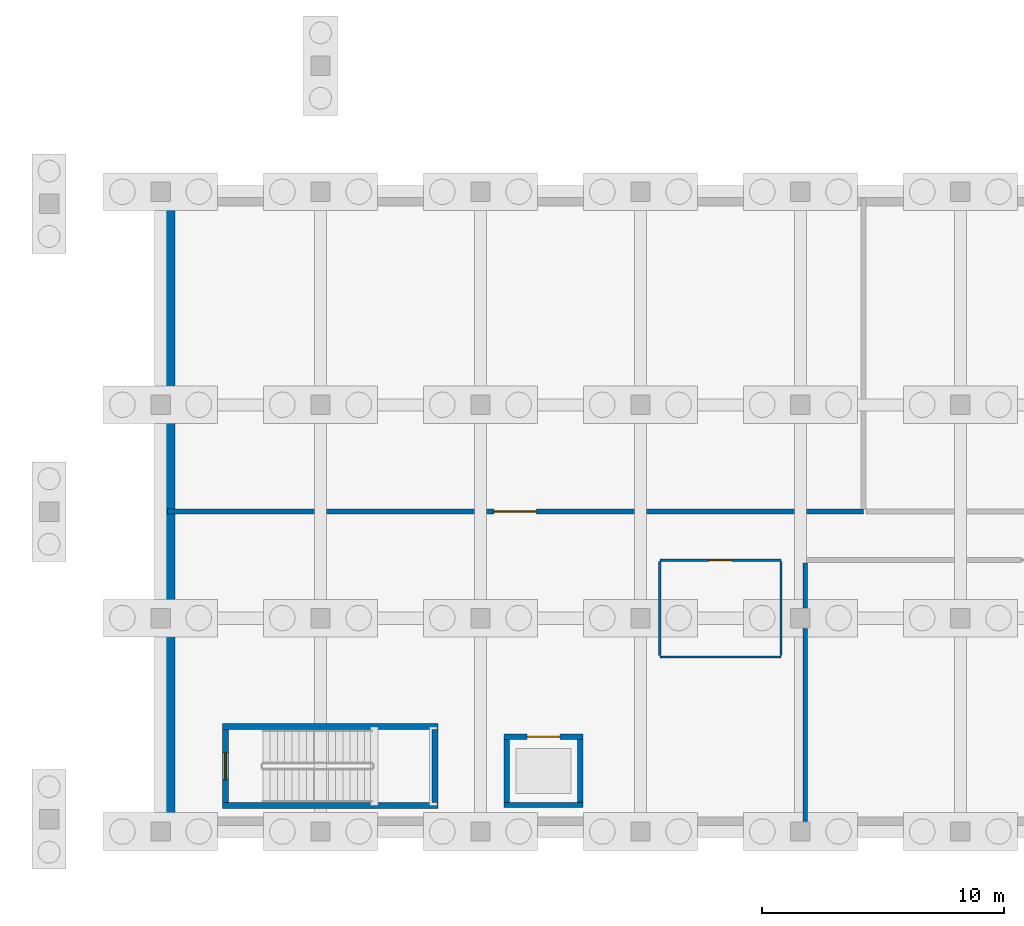
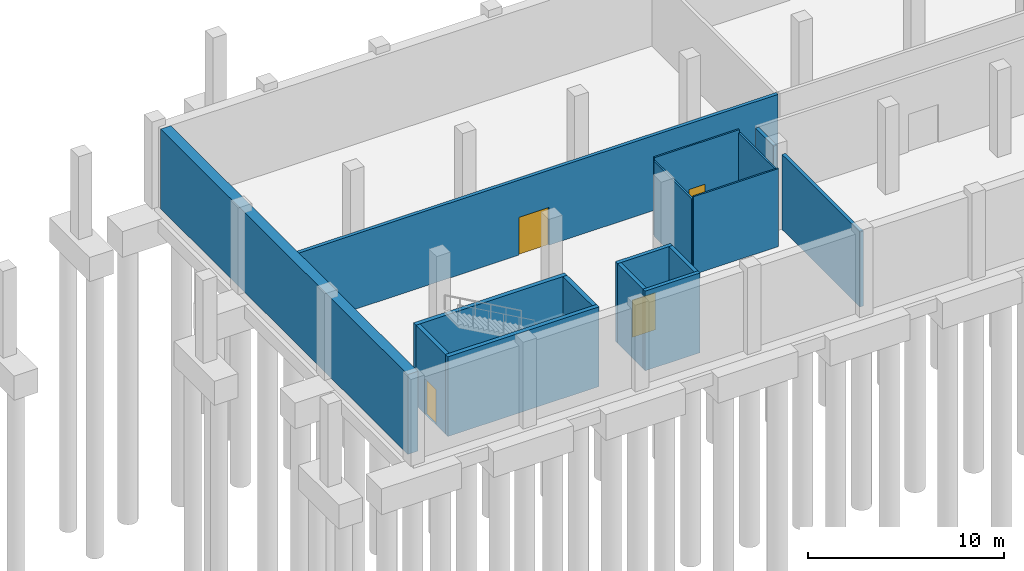
# One storey, part 9 of 23: 16 walls, 4 doors, 4 openings.
"""IFC4 building model written with IfcOpenShell, lengths in metres."""

from ifc_helpers import new_model, si_unit, direction, frame, frame_2d, origin, place, context, subcontext, project, spatial, rectangle, extrude, material, layer, layer_set, type_object, element, fill, save


model = new_model("IFC4")

# Units and contexts
model_context = context("Model", 3, precision=1e-05, world=origin(), true_north=direction((0.0, 1.0)))
body_context = subcontext(model_context, "Body", "Model", "MODEL_VIEW")
ifc_project = project(units=[si_unit("LENGTHUNIT", "METRE"), si_unit("AREAUNIT", "SQUARE_METRE"), si_unit("VOLUMEUNIT", "CUBIC_METRE"), si_unit("PLANEANGLEUNIT", "RADIAN"), si_unit("MASSUNIT", "GRAM", prefix="KILO")], contexts=[model_context])

# Site, building, storey
site_placement = place(None, origin())
site = spatial("IfcSite", under=ifc_project, at=site_placement, CompositionType="ELEMENT")
building_placement = place(site_placement, origin())
building = spatial("IfcBuilding", under=site, at=building_placement, Name="Dornvale Research Institute", CompositionType="ELEMENT")
storey_placement = place(building_placement, frame((0.0, 0.0, -5.39990234375)))
storey = spatial("IfcBuildingStorey", under=building, at=storey_placement, Name="B1", CompositionType="ELEMENT", Elevation=-5.39990234375)

# Wall, opening, door
ifc_material_1 = material(Name="Fire-Rated Gypsum Board on Cold-Formed Steel Studs", Category="steel")
ifc_layer_1 = layer(ifc_material_1, 0.199951171875)
ifc_layer_set_1 = layer_set([ifc_layer_1], Name="Fire-Rated Gypsum Board on Cold-Formed Steel Studs")
wall_type_1 = type_object("IfcWallType", Name="Partition_FireWall_200", PredefinedType="PARTITIONING", material=ifc_layer_set_1)
wall_1_placement = place(storey_placement, frame((99.280029296875, 13.199951171875, 0.0), z_axis=(0.0, 0.0, 1.0), x_axis=(1.0, 0.0, 0.0)))
wall_1 = element("IfcWall", 1, at=wall_1_placement, inside=storey, type_object=wall_type_1, Name="B1 V3 interior partition #50", PredefinedType="PARTITIONING", context=body_context, shape_type="SweptSolid", body=[
    extrude(rectangle(XDim=28.719970703125, YDim=0.199951171875, at=frame_2d((14.35986328125, 0.0))), origin(), (0.0, 0.0, 1.0), 4.664794921875),
])
opening_1_placement = place(wall_1_placement, frame((13.47998046875, 0.0, 0.0)))
opening_1 = element("IfcOpeningElement", 2, at=opening_1_placement, cuts=wall_1, Name="Opening ID-14", PredefinedType="OPENING", context=body_context, shape_type="SweptSolid", body=[
    extrude(rectangle(XDim=1.760009765625, YDim=2.35009765625, at=frame_2d((0.8798828125, 1.175048828125))), frame((0.0, 0.114990234375, 0.0), z_axis=(0.0, -1.0, 0.0), x_axis=(1.0, 0.0, 0.0)), (0.0, 0.0, 1.0), 0.22998046875),
])
ifc_material_2 = material(Name="Insulated Fire-Rated Hollow Metal Door Assembly")
door_type_1 = type_object("IfcDoorType", Name="Door_Plant_1760x2350", OperationType="SINGLE_SWING_LEFT", PredefinedType="DOOR", material=ifc_material_2)
door_1_placement = place(opening_1_placement, origin())
door_1 = element("IfcDoor", 3, at=door_1_placement, inside=storey, type_object=door_type_1, Name="B1 Cleanroom Sub-Fab Process Vacuum and Abatement Hall door #22", OperationType="DOUBLE_DOOR_SINGLE_SWING", OverallHeight=2.35009765625, OverallWidth=1.760009765625, PredefinedType="DOOR", context=body_context, shape_type="SweptSolid", body=[
    extrude(rectangle(XDim=1.760009765625, YDim=2.35009765625, at=frame_2d((0.8798828125, 1.175048828125))), frame((0.0, 0.02490234375, 0.0), z_axis=(0.0, -1.0, 0.0), x_axis=(1.0, 0.0, 0.0)), (0.0, 0.0, 1.0), 0.050048828125),
])
fill(opening_1, door_1)

# Walls
wall_2_placement = place(storey_placement, frame((125.60009765625, 0.419921875, 0.0), z_axis=(0.0, 0.0, 1.0), x_axis=(0.0, 1.0, 0.0)))
element("IfcWall", 4, at=wall_2_placement, inside=storey, type_object=wall_type_1, Name="B1 V3 interior partition #56", PredefinedType="PARTITIONING", context=body_context, shape_type="SweptSolid", body=[
    extrude(rectangle(XDim=7.9599609375, YDim=0.199951171875, at=frame_2d((3.97998046875, 0.0))), origin(), (0.0, 0.0, 1.0), 4.664794921875),
])
wall_3_placement = place(storey_placement, frame((125.60009765625, 9.219970703125, 0.0), z_axis=(0.0, 0.0, 1.0), x_axis=(0.0, 1.0, 0.0)))
element("IfcWall", 5, at=wall_3_placement, inside=storey, type_object=wall_type_1, Name="B1 V3 interior partition #57", PredefinedType="PARTITIONING", context=body_context, shape_type="SweptSolid", body=[
    extrude(rectangle(XDim=1.864990234375, YDim=0.199951171875, at=frame_2d((0.9326171875, 0.0))), origin(), (0.0, 0.0, 1.0), 4.664794921875),
])
ifc_material_3 = material(Name="Acoustic Insulated Double-Stud Laboratory Partition")
ifc_layer_2 = layer(ifc_material_3, 0.10009765625)
ifc_layer_set_2 = layer_set([ifc_layer_2], Name="Acoustic Insulated Double-Stud Laboratory Partition")
wall_type_2 = type_object("IfcWallType", Name="Partition_Office_100", PredefinedType="PARTITIONING", material=ifc_layer_set_2)
wall_4_placement = place(storey_placement, frame((119.60009765625, 7.199951171875, 0.0), z_axis=(0.0, 0.0, 1.0), x_axis=(1.0, 0.0, 0.0)))
element("IfcWall", 6, at=wall_4_placement, inside=storey, type_object=wall_type_2, Name="B1 V3 interior partition #46", PredefinedType="PARTITIONING", context=body_context, shape_type="SweptSolid", body=[
    extrude(rectangle(XDim=5.0, YDim=0.10009765625, at=frame_2d((2.5, 0.0))), origin(), (0.0, 0.0, 1.0), 4.844970703125),
])

# Wall, opening, door
wall_5_placement = place(storey_placement, frame((119.60009765625, 11.199951171875, 0.0), z_axis=(0.0, 0.0, 1.0), x_axis=(1.0, 0.0, 0.0)))
wall_5 = element("IfcWall", 7, at=wall_5_placement, inside=storey, type_object=wall_type_2, Name="B1 V3 interior partition #47", PredefinedType="PARTITIONING", context=body_context, shape_type="SweptSolid", body=[
    extrude(rectangle(XDim=5.0, YDim=0.10009765625, at=frame_2d((2.5, 0.0))), origin(), (0.0, 0.0, 1.0), 4.844970703125),
])
opening_2_placement = place(wall_5_placement, frame((2.02490234375, 0.0, 0.0)))
opening_2 = element("IfcOpeningElement", 8, at=opening_2_placement, cuts=wall_5, Name="Opening ID-23", PredefinedType="OPENING", context=body_context, shape_type="SweptSolid", body=[
    extrude(rectangle(XDim=0.949951171875, YDim=2.14990234375, at=frame_2d((0.47509765625, 1.074951171875))), frame((0.0, 0.06494140625, 0.0), z_axis=(0.0, -1.0, 0.0), x_axis=(1.0, 0.0, 0.0)), (0.0, 0.0, 1.0), 0.130126953125),
])
ifc_material_4 = material(Name="Phenolic-Faced Solid-Core Laboratory Door Assembly")
door_type_2 = type_object("IfcDoorType", Name="Door_WC_950x2150", OperationType="SINGLE_SWING_LEFT", PredefinedType="DOOR", material=ifc_material_4)
door_2_placement = place(opening_2_placement, origin())
door_2 = element("IfcDoor", 9, at=door_2_placement, inside=storey, type_object=door_type_2, Name="B1 Cleanroom Staff and Accessible Restrooms B1 door #21", OperationType="SINGLE_SWING_RIGHT", OverallHeight=2.14990234375, OverallWidth=0.949951171875, PredefinedType="DOOR", context=body_context, shape_type="SweptSolid", body=[
    extrude(rectangle(XDim=0.949951171875, YDim=2.14990234375, at=frame_2d((0.47509765625, 1.074951171875))), frame((0.0, 0.02490234375, 0.0), z_axis=(0.0, -1.0, 0.0), x_axis=(1.0, 0.0, 0.0)), (0.0, 0.0, 1.0), 0.050048828125),
])
fill(opening_2, door_2)

# Walls
for number, where, z_axis, x_axis, name in (
    (10, (119.60009765625, 7.264892578125, 0.0), (0.0, 0.0, 1.0), (0.0, 1.0, 0.0), "B1 V3 interior partition #48"),
    (11, (124.60009765625, 7.264892578125, 0.0), (0.0, 0.0, 1.0), (0.0, 1.0, 0.0), "B1 V3 interior partition #49"),
):
    element("IfcWall", number, at=place(storey_placement, frame(where, z_axis=z_axis, x_axis=x_axis)), inside=storey, type_object=wall_type_2, Name=name, PredefinedType="PARTITIONING", context=body_context, shape_type="SweptSolid", body=[
        extrude(rectangle(XDim=3.8701171875, YDim=0.10009765625, at=frame_2d((1.93505859375, 0.0))), origin(), (0.0, 0.0, 1.0), 4.664794921875),
    ])
ifc_material_5 = material(Name="Concrete f'c 40 MPa (C32/40)", Category="concrete")
ifc_layer_3 = layer(ifc_material_5, 0.60009765625)
ifc_layer_set_3 = layer_set([ifc_layer_3], Name="Concrete f'c 40 MPa (C32/40)")
wall_type_3 = type_object("IfcWallType", Name="RetainingWall_RC600_Ext", PredefinedType="USERDEFINED", material=ifc_layer_set_3)
wall_6_placement = place(storey_placement, frame((99.300048828125, 0.60009765625, 0.0), z_axis=(0.0, 0.0, 1.0), x_axis=(0.0, 1.0, 0.0)))
element("IfcWall", 12, at=wall_6_placement, inside=storey, type_object=wall_type_3, Name="Basement perimeter retaining wall #11", ObjectType="RETAININGWALL", PredefinedType="USERDEFINED", context=body_context, shape_type="SweptSolid", body=[
    extrude(rectangle(XDim=25.199951171875, YDim=0.60009765625, at=frame_2d((12.60009765625, 0.0))), origin(), (0.0, 0.0, 1.0), 4.9599609375),
])
ifc_material_6 = material(Name="Concrete f'c 45 MPa (C35/45)", Category="concrete")
ifc_layer_4 = layer(ifc_material_6, 0.25)
ifc_layer_set_4 = layer_set([ifc_layer_4], Name="Concrete f'c 45 MPa (C35/45)")
wall_type_4 = type_object("IfcWallType", Name="ShearWall_Core_250", PredefinedType="SHEAR", material=ifc_layer_set_4)
for number, where, z_axis, x_axis, name in (
    (13, (101.550048828125, 1.074951171875, 0.0), (0.0, 0.0, 1.0), (1.0, 0.0, 0.0), "B1 ST-5 shaft shear wall south"),
    (14, (101.550048828125, 4.324951171875, 0.0), (0.0, 0.0, 1.0), (1.0, 0.0, 0.0), "B1 ST-5 shaft shear wall north"),
):
    element("IfcWall", number, at=place(storey_placement, frame(where, z_axis=z_axis, x_axis=x_axis)), inside=storey, type_object=wall_type_4, Name=name, PredefinedType="SHEAR", context=body_context, shape_type="SweptSolid", body=[
        extrude(rectangle(XDim=8.89990234375, YDim=0.25, at=frame_2d((4.449951171875, 0.0))), origin(), (0.0, 0.0, 1.0), 4.9599609375),
    ])

# Wall, opening, door
wall_7_placement = place(storey_placement, frame((101.675048828125, 1.199951171875, 0.0), z_axis=(0.0, 0.0, 1.0), x_axis=(0.0, 1.0, 0.0)))
wall_7 = element("IfcWall", 15, at=wall_7_placement, inside=storey, type_object=wall_type_4, Name="B1 ST-5 shaft shear wall west", PredefinedType="SHEAR", context=body_context, shape_type="SweptSolid", body=[
    extrude(rectangle(XDim=3.0, YDim=0.25, at=frame_2d((1.5, 0.0))), origin(), (0.0, 0.0, 1.0), 4.9599609375),
])
opening_3_placement = place(wall_7_placement, frame((0.93994140625, 0.0, 0.0)))
opening_3 = element("IfcOpeningElement", 16, at=opening_3_placement, cuts=wall_7, Name="Opening SD-01", PredefinedType="OPENING", context=body_context, shape_type="SweptSolid", body=[
    extrude(rectangle(XDim=1.1201171875, YDim=2.199951171875, at=frame_2d((0.56005859375, 1.10009765625))), frame((0.0, 0.139892578125, 0.0), z_axis=(0.0, -1.0, 0.0), x_axis=(1.0, 0.0, 0.0)), (0.0, 0.0, 1.0), 0.280029296875),
])
ifc_material_7 = material(Name="Insulated Fire-Rated Hollow Metal Door Assembly")
door_type_3 = type_object("IfcDoorType", Name="Door_Stair_1120x2200", OperationType="SINGLE_SWING_LEFT", PredefinedType="DOOR", material=ifc_material_7)
door_3_placement = place(opening_3_placement, origin())
door_3 = element("IfcDoor", 17, at=door_3_placement, inside=storey, type_object=door_type_3, Name="B1 ST-5 exit stair door #41", OperationType="SINGLE_SWING_LEFT", OverallHeight=2.199951171875, OverallWidth=1.1201171875, PredefinedType="DOOR", context=body_context, shape_type="SweptSolid", body=[
    extrude(rectangle(XDim=1.1201171875, YDim=2.199951171875, at=frame_2d((0.56005859375, 1.10009765625))), frame((0.0, 0.02490234375, 0.0), z_axis=(0.0, -1.0, 0.0), x_axis=(1.0, 0.0, 0.0)), (0.0, 0.0, 1.0), 0.050048828125),
])
fill(opening_3, door_3)

# Walls
wall_8_placement = place(storey_placement, frame((110.324951171875, 1.199951171875, 0.0), z_axis=(0.0, 0.0, 1.0), x_axis=(0.0, 1.0, 0.0)))
element("IfcWall", 18, at=wall_8_placement, inside=storey, type_object=wall_type_4, Name="B1 ST-5 shaft shear wall east", PredefinedType="SHEAR", context=body_context, shape_type="SweptSolid", body=[
    extrude(rectangle(XDim=3.0, YDim=0.25, at=frame_2d((1.5, 0.0))), origin(), (0.0, 0.0, 1.0), 4.9599609375),
])
ifc_material_8 = material(Name="Concrete f'c 45 MPa (C35/45)", Category="concrete")
ifc_layer_5 = layer(ifc_material_8, 0.219970703125)
ifc_layer_set_5 = layer_set([ifc_layer_5], Name="Concrete f'c 45 MPa (C35/45)")
wall_type_5 = type_object("IfcWallType", Name="ShearWall_Shaft_220", PredefinedType="SHEAR", material=ifc_layer_set_5)
wall_9_placement = place(storey_placement, frame((113.179931640625, 1.090087890625, 0.0), z_axis=(0.0, 0.0, 1.0), x_axis=(1.0, 0.0, 0.0)))
element("IfcWall", 19, at=wall_9_placement, inside=storey, type_object=wall_type_5, Name="B1 LC1 elevator shaft wall south", PredefinedType="SHEAR", context=body_context, shape_type="SweptSolid", body=[
    extrude(rectangle(XDim=3.239990234375, YDim=0.219970703125, at=frame_2d((1.6201171875, 0.0))), origin(), (0.0, 0.0, 1.0), 4.9599609375),
])

# Wall, opening, door
wall_10_placement = place(storey_placement, frame((113.179931640625, 3.909912109375, 0.0), z_axis=(0.0, 0.0, 1.0), x_axis=(1.0, 0.0, 0.0)))
wall_10 = element("IfcWall", 20, at=wall_10_placement, inside=storey, type_object=wall_type_5, Name="B1 LC1 elevator shaft wall north", PredefinedType="SHEAR", context=body_context, shape_type="SweptSolid", body=[
    extrude(rectangle(XDim=3.239990234375, YDim=0.219970703125, at=frame_2d((1.6201171875, 0.0))), origin(), (0.0, 0.0, 1.0), 4.9599609375),
])
opening_4_placement = place(wall_10_placement, frame((0.945068359375, 0.0, 0.0)))
opening_4 = element("IfcOpeningElement", 21, at=opening_4_placement, cuts=wall_10, Name="Opening LD-04", PredefinedType="OPENING", context=body_context, shape_type="SweptSolid", body=[
    extrude(rectangle(XDim=1.35009765625, YDim=2.300048828125, at=frame_2d((0.675048828125, 1.14990234375))), frame((0.0, 0.125, 0.0), z_axis=(0.0, -1.0, 0.0), x_axis=(1.0, 0.0, 0.0)), (0.0, 0.0, 1.0), 0.25),
])
ifc_material_9 = material(Name="Brushed Stainless Steel Sliding Elevator Landing Door", Category="steel")
door_type_4 = type_object("IfcDoorType", Name="Door_LiftLanding_Clean_1350x2300", OperationType="SINGLE_SWING_LEFT", PredefinedType="DOOR", material=ifc_material_9)
door_4_placement = place(opening_4_placement, origin())
door_4 = element("IfcDoor", 22, at=door_4_placement, inside=storey, type_object=door_type_4, Name="B1 LC1 sliding elevator landing door #53", OperationType="SLIDING_TO_LEFT", OverallHeight=2.300048828125, OverallWidth=1.35009765625, PredefinedType="DOOR", context=body_context, shape_type="SweptSolid", body=[
    extrude(rectangle(XDim=1.35009765625, YDim=2.300048828125, at=frame_2d((0.675048828125, 1.14990234375))), frame((0.0, 0.02490234375, 0.0), z_axis=(0.0, -1.0, 0.0), x_axis=(1.0, 0.0, 0.0)), (0.0, 0.0, 1.0), 0.050048828125),
])
fill(opening_4, door_4)

# Walls
for number, where, z_axis, x_axis, name in (
    (23, (113.2900390625, 1.199951171875, 0.0), (0.0, 0.0, 1.0), (0.0, 1.0, 0.0), "B1 LC1 elevator shaft wall west"),
    (24, (116.31005859375, 1.199951171875, 0.0), (0.0, 0.0, 1.0), (0.0, 1.0, 0.0), "B1 LC1 elevator shaft wall east"),
):
    element("IfcWall", number, at=place(storey_placement, frame(where, z_axis=z_axis, x_axis=x_axis)), inside=storey, type_object=wall_type_5, Name=name, PredefinedType="SHEAR", context=body_context, shape_type="SweptSolid", body=[
        extrude(rectangle(XDim=2.60009765625, YDim=0.219970703125, at=frame_2d((1.300048828125, 0.0))), origin(), (0.0, 0.0, 1.0), 4.9599609375),
    ])

save(model, "model.ifc")
